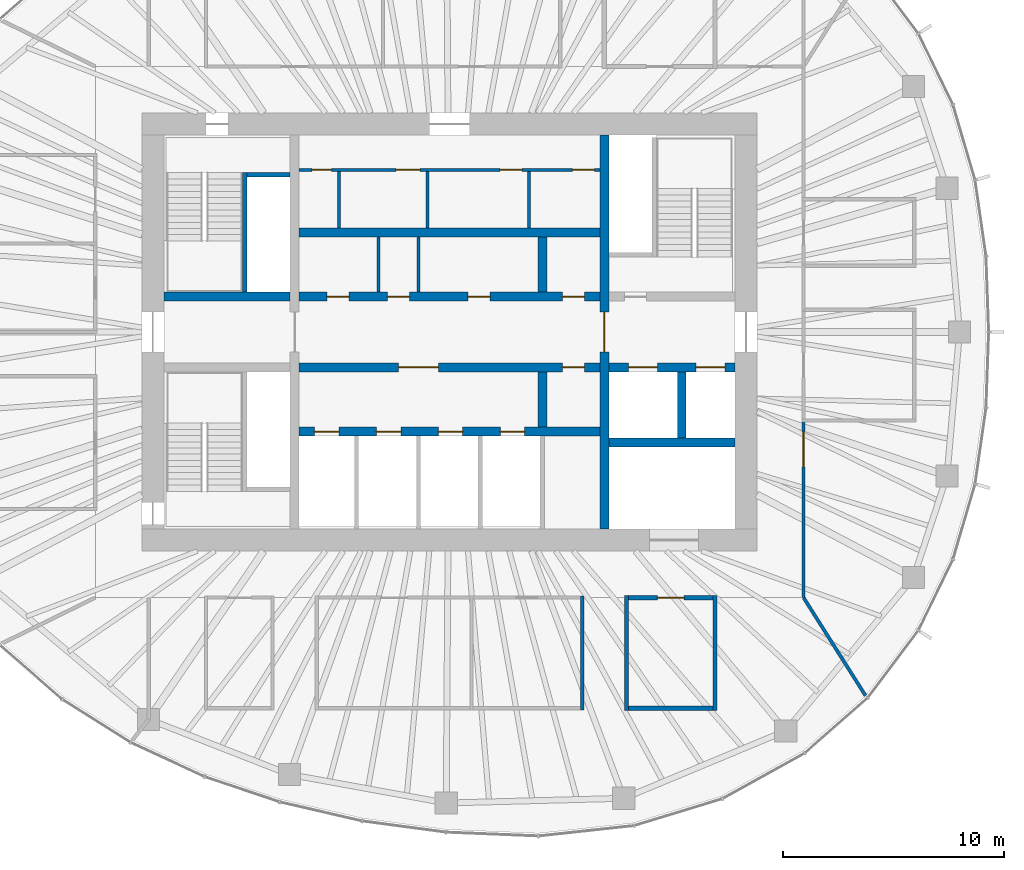
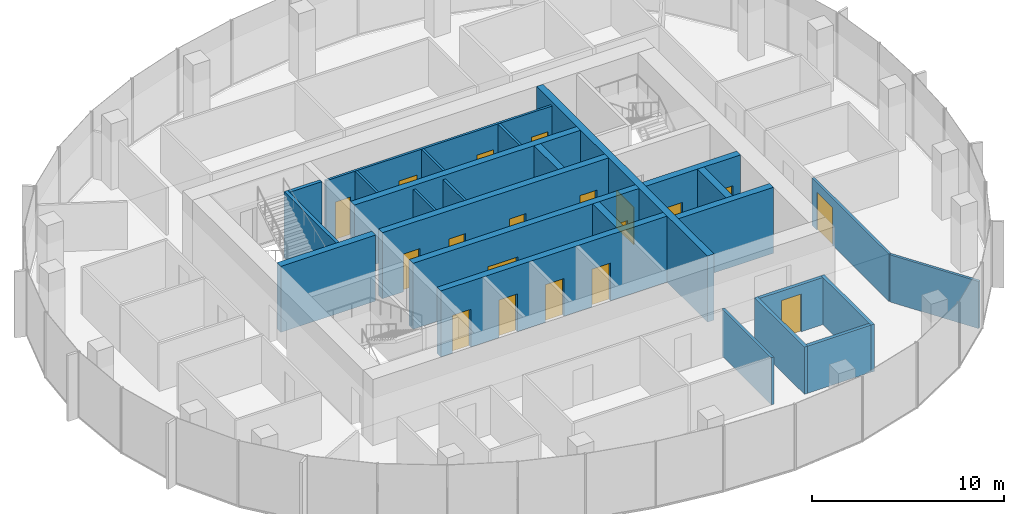
# One storey, part 9 of 12: 26 walls, 19 doors, 19 openings.
"""IFC4 building model written with IfcOpenShell, lengths in metres."""

from ifc_helpers import new_model, si_unit, direction, frame, frame_2d, origin, place, context, subcontext, project, spatial, rectangle, extrude, material, layer, layer_set, type_object, element, fill, save


model = new_model("IFC4")

# Units and contexts
model_context = context("Model", 3, precision=1e-05, world=origin(), true_north=direction((0.0, 1.0)))
body_context = subcontext(model_context, "Body", "Model", "MODEL_VIEW")
ifc_project = project(units=[si_unit("LENGTHUNIT", "METRE"), si_unit("AREAUNIT", "SQUARE_METRE"), si_unit("VOLUMEUNIT", "CUBIC_METRE"), si_unit("PLANEANGLEUNIT", "RADIAN"), si_unit("MASSUNIT", "GRAM", prefix="KILO")], contexts=[model_context])

# Site, building, storey
site_placement = place(None, origin())
site = spatial("IfcSite", under=ifc_project, at=site_placement, CompositionType="ELEMENT")
building_placement = place(site_placement, origin())
building = spatial("IfcBuilding", under=site, at=building_placement, Name="Ghaith Harvest Tower", CompositionType="ELEMENT")
storey_placement = place(building_placement, frame((0.0, 0.0, 304.800048828125)))
storey = spatial("IfcBuildingStorey", under=building, at=storey_placement, Name="L68", CompositionType="ELEMENT", Elevation=304.800048828125)

# Walls
ifc_material_1 = material(Name="Twin-stud gypsum board, acoustic", Category="gypsum")
ifc_layer_1 = layer(ifc_material_1, 0.199951171875)
ifc_layer_set_1 = layer_set([ifc_layer_1], Name="ACOUSTIC PARTITION 200")
wall_type_1 = type_object("IfcWallType", Name="ACOUSTIC PARTITION 200", PredefinedType="PARTITIONING", material=ifc_layer_set_1)
for number, where, z_axis, x_axis, name in (
    (1, (8.0, -11.89990234375, 0.0), (0.0, 0.0, 1.0), (0.0, -1.0, 0.0), "Partition L68 row S4 cross wall 1"),
    (2, (12.0, -11.89990234375, 0.0), (0.0, 0.0, 1.0), (0.0, -1.0, 0.0), "Partition L68 row S4 cross wall 2"),
):
    element("IfcWall", number, at=place(storey_placement, frame(where, z_axis=z_axis, x_axis=x_axis)), inside=storey, type_object=wall_type_1, Name=name, PredefinedType="PARTITIONING", context=body_context, shape_type="SweptSolid", body=[
        extrude(rectangle(XDim=5.2001953125, YDim=0.199951171875, at=frame_2d((2.60009765625, 0.0))), origin(), (0.0, 0.0, 1.0), 3.0),
    ])

# Wall, opening, door
wall_1_placement = place(storey_placement, frame((8.10009765625, -12.0, 0.0), z_axis=(0.0, 0.0, 1.0), x_axis=(1.0, 0.0, 0.0)))
wall_1 = element("IfcWall", 3, at=wall_1_placement, inside=storey, type_object=wall_type_1, Name="Partition L68-07", PredefinedType="PARTITIONING", context=body_context, shape_type="SweptSolid", body=[
    extrude(rectangle(XDim=3.7998046875, YDim=0.199951171875, at=frame_2d((1.89990234375, 0.0))), origin(), (0.0, 0.0, 1.0), 3.0),
])
opening_1_placement = place(wall_1_placement, frame((1.300048828125, 0.0, 0.0)))
opening_1 = element("IfcOpeningElement", 4, at=opening_1_placement, cuts=wall_1, Name="Opening 68-032", PredefinedType="OPENING", context=body_context, shape_type="SweptSolid", body=[
    extrude(rectangle(XDim=1.199951171875, YDim=2.39990234375, at=frame_2d((0.60009765625, 1.199951171875))), frame((0.0, 0.10986328125, 0.0), z_axis=(0.0, -1.0, 0.0), x_axis=(1.0, 0.0, 0.0)), (0.0, 0.0, 1.0), 0.219970703125),
])
ifc_material_2 = material(Name="Timber door", Category="wood")
door_type_1 = type_object("IfcDoorType", Name="D11 GLAZED 1200x2400", OperationType="SINGLE_SWING_LEFT", PredefinedType="DOOR", material=ifc_material_2)
door_1_placement = place(opening_1_placement, origin())
door_1 = element("IfcDoor", 5, at=door_1_placement, inside=storey, type_object=door_type_1, Name="Meeting room door", OperationType="SINGLE_SWING_LEFT", OverallHeight=2.39990234375, OverallWidth=1.199951171875, PredefinedType="DOOR", context=body_context, shape_type="SweptSolid", body=[
    extrude(rectangle(XDim=1.199951171875, YDim=2.39990234375, at=frame_2d((0.60009765625, 1.199951171875))), frame((0.0, 0.02490234375, 0.0), z_axis=(0.0, -1.0, 0.0), x_axis=(1.0, 0.0, 0.0)), (0.0, 0.0, 1.0), 0.050048828125),
])
fill(opening_1, door_1)

# Wall
wall_2_placement = place(storey_placement, frame((8.10009765625, -17.0, 0.0), z_axis=(0.0, 0.0, 1.0), x_axis=(1.0, 0.0, 0.0)))
element("IfcWall", 6, at=wall_2_placement, inside=storey, type_object=wall_type_1, Name="Partition L68-07", PredefinedType="PARTITIONING", context=body_context, shape_type="SweptSolid", body=[
    extrude(rectangle(XDim=3.7998046875, YDim=0.199951171875, at=frame_2d((1.89990234375, 0.0))), origin(), (0.0, 0.0, 1.0), 3.0),
])

# Wall, openings, doors
ifc_material_3 = material(Name="Concrete blockwork, fair-faced", Category="masonry")
ifc_layer_2 = layer(ifc_material_3, 0.139892578125)
ifc_layer_set_2 = layer_set([ifc_layer_2], Name="CORE PARTITION 140")
wall_type_2 = type_object("IfcWallType", Name="CORE PARTITION 140", PredefinedType="PARTITIONING", material=ifc_layer_set_2)
wall_3_placement = place(storey_placement, frame((-6.800048828125, 7.330078125, 0.0), z_axis=(0.0, 0.0, 1.0), x_axis=(1.0, 0.0, 0.0)))
wall_3 = element("IfcWall", 7, at=wall_3_placement, inside=storey, type_object=wall_type_2, Name="Core partition L68", PredefinedType="PARTITIONING", context=body_context, shape_type="SweptSolid", body=[
    extrude(rectangle(XDim=13.60009765625, YDim=0.139892578125, at=frame_2d((6.800048828125, 0.0))), origin(), (0.0, 0.0, 1.0), 3.949951171875),
])
opening_2_placement = place(wall_3_placement, frame((0.580078125, 0.0, 0.0)))
opening_2 = element("IfcOpeningElement", 8, at=opening_2_placement, cuts=wall_3, Name="Opening 68-008", PredefinedType="OPENING", context=body_context, shape_type="SweptSolid", body=[
    extrude(rectangle(XDim=0.89990234375, YDim=2.39990234375, at=frame_2d((0.449951171875, 1.199951171875))), frame((0.0, 0.080078125, 0.0), z_axis=(0.0, -1.0, 0.0), x_axis=(1.0, 0.0, 0.0)), (0.0, 0.0, 1.0), 0.159912109375),
])
opening_3_placement = place(wall_3_placement, frame((4.3798828125, 0.0, 0.0)))
opening_3 = element("IfcOpeningElement", 9, at=opening_3_placement, cuts=wall_3, Name="Opening 68-009", PredefinedType="OPENING", context=body_context, shape_type="SweptSolid", body=[
    extrude(rectangle(XDim=1.10009765625, YDim=2.39990234375, at=frame_2d((0.550048828125, 1.199951171875))), frame((0.0, 0.080078125, 0.0), z_axis=(0.0, -1.0, 0.0), x_axis=(1.0, 0.0, 0.0)), (0.0, 0.0, 1.0), 0.159912109375),
])
opening_4_placement = place(wall_3_placement, frame((9.080078125, 0.0, 0.0)))
opening_4 = element("IfcOpeningElement", 10, at=opening_4_placement, cuts=wall_3, Name="Opening 68-010", PredefinedType="OPENING", context=body_context, shape_type="SweptSolid", body=[
    extrude(rectangle(XDim=1.0, YDim=2.39990234375, at=frame_2d((0.5, 1.199951171875))), frame((0.0, 0.080078125, 0.0), z_axis=(0.0, -1.0, 0.0), x_axis=(1.0, 0.0, 0.0)), (0.0, 0.0, 1.0), 0.159912109375),
])
opening_5_placement = place(wall_3_placement, frame((12.35009765625, 0.0, 0.0)))
opening_5 = element("IfcOpeningElement", 11, at=opening_5_placement, cuts=wall_3, Name="Opening 68-011", PredefinedType="OPENING", context=body_context, shape_type="SweptSolid", body=[
    extrude(rectangle(XDim=1.0, YDim=2.39990234375, at=frame_2d((0.5, 1.199951171875))), frame((0.0, 0.080078125, 0.0), z_axis=(0.0, -1.0, 0.0), x_axis=(1.0, 0.0, 0.0)), (0.0, 0.0, 1.0), 0.159912109375),
])
ifc_material_4 = material(Name="Steel fire door", Category="steel")
door_type_2 = type_object("IfcDoorType", Name="D3 FD90 1000x2400", OperationType="SINGLE_SWING_LEFT", PredefinedType="DOOR", material=ifc_material_4)
door_2_placement = place(opening_4_placement, origin())
door_2 = element("IfcDoor", 12, at=door_2_placement, inside=storey, type_object=door_type_2, Name="Male WC door", OperationType="SINGLE_SWING_RIGHT", OverallHeight=2.39990234375, OverallWidth=1.0, PredefinedType="DOOR", context=body_context, shape_type="SweptSolid", body=[
    extrude(rectangle(XDim=1.0, YDim=2.39990234375, at=frame_2d((0.5, 1.199951171875))), frame((0.0, 0.02490234375, 0.0), z_axis=(0.0, -1.0, 0.0), x_axis=(1.0, 0.0, 0.0)), (0.0, 0.0, 1.0), 0.050048828125),
])
fill(opening_4, door_2)
door_3_placement = place(opening_5_placement, origin())
door_3 = element("IfcDoor", 13, at=door_3_placement, inside=storey, type_object=door_type_2, Name="Female WC door", OperationType="SINGLE_SWING_RIGHT", OverallHeight=2.39990234375, OverallWidth=1.0, PredefinedType="DOOR", context=body_context, shape_type="SweptSolid", body=[
    extrude(rectangle(XDim=1.0, YDim=2.39990234375, at=frame_2d((0.5, 1.199951171875))), frame((0.0, 0.02490234375, 0.0), z_axis=(0.0, -1.0, 0.0), x_axis=(1.0, 0.0, 0.0)), (0.0, 0.0, 1.0), 0.050048828125),
])
fill(opening_5, door_3)
ifc_material_5 = material(Name="Steel fire door", Category="steel")
door_type_3 = type_object("IfcDoorType", Name="D5 FD90 900x2400", OperationType="SINGLE_SWING_LEFT", PredefinedType="DOOR", material=ifc_material_5)
door_4_placement = place(opening_2_placement, origin())
door_4 = element("IfcDoor", 14, at=door_4_placement, inside=storey, type_object=door_type_3, Name="Cleaner's store door", OperationType="SINGLE_SWING_LEFT", OverallHeight=2.39990234375, OverallWidth=0.89990234375, PredefinedType="DOOR", context=body_context, shape_type="SweptSolid", body=[
    extrude(rectangle(XDim=0.89990234375, YDim=2.39990234375, at=frame_2d((0.449951171875, 1.199951171875))), frame((0.0, 0.02490234375, 0.0), z_axis=(0.0, -1.0, 0.0), x_axis=(1.0, 0.0, 0.0)), (0.0, 0.0, 1.0), 0.050048828125),
])
fill(opening_2, door_4)
ifc_material_6 = material(Name="Steel fire door", Category="steel")
door_type_4 = type_object("IfcDoorType", Name="D9 FD90 1100x2400", OperationType="SINGLE_SWING_LEFT", PredefinedType="DOOR", material=ifc_material_6)
door_5_placement = place(opening_3_placement, origin())
door_5 = element("IfcDoor", 15, at=door_5_placement, inside=storey, type_object=door_type_4, Name="Accessible WC door", OperationType="SINGLE_SWING_LEFT", OverallHeight=2.39990234375, OverallWidth=1.10009765625, PredefinedType="DOOR", context=body_context, shape_type="SweptSolid", body=[
    extrude(rectangle(XDim=1.10009765625, YDim=2.39990234375, at=frame_2d((0.550048828125, 1.199951171875))), frame((0.0, 0.02490234375, 0.0), z_axis=(0.0, -1.0, 0.0), x_axis=(1.0, 0.0, 0.0)), (0.0, 0.0, 1.0), 0.050048828125),
])
fill(opening_3, door_5)

# Walls
for number, where, z_axis, x_axis, name in (
    (16, (-5.0, 4.699951171875, 0.0), (0.0, 0.0, 1.0), (0.0, 1.0, 0.0), "Core partition L68"),
    (17, (-1.0, 4.699951171875, 0.0), (0.0, 0.0, 1.0), (0.0, 1.0, 0.0), "Core partition L68"),
    (18, (3.60009765625, 4.699951171875, 0.0), (0.0, 0.0, 1.0), (0.0, 1.0, 0.0), "Core partition L68"),
):
    element("IfcWall", number, at=place(storey_placement, frame(where, z_axis=z_axis, x_axis=x_axis)), inside=storey, type_object=wall_type_2, Name=name, PredefinedType="PARTITIONING", context=body_context, shape_type="SweptSolid", body=[
        extrude(rectangle(XDim=2.56005859375, YDim=0.139892578125, at=frame_2d((1.280029296875, 0.0))), origin(), (0.0, 0.0, 1.0), 3.949951171875),
    ])
for number, where, z_axis, x_axis, name in (
    (19, (-3.199951171875, 1.800048828125, 0.0), (0.0, 0.0, 1.0), (0.0, 1.0, 0.0), "Core partition L68"),
    (20, (-1.39990234375, 1.800048828125, 0.0), (0.0, 0.0, 1.0), (0.0, 1.0, 0.0), "Core partition L68"),
):
    element("IfcWall", number, at=place(storey_placement, frame(where, z_axis=z_axis, x_axis=x_axis)), inside=storey, type_object=wall_type_2, Name=name, PredefinedType="PARTITIONING", context=body_context, shape_type="SweptSolid", body=[
        extrude(rectangle(XDim=2.5, YDim=0.139892578125, at=frame_2d((1.25, 0.0))), origin(), (0.0, 0.0, 1.0), 3.949951171875),
    ])
ifc_material_7 = material(Name="Gypsum board on steel studs", Category="steel")
ifc_layer_3 = layer(ifc_material_7, 0.14990234375)
ifc_layer_set_3 = layer_set([ifc_layer_3], Name="PARTITION 150")
wall_type_3 = type_object("IfcWallType", Name="PARTITION 150", PredefinedType="PARTITIONING", material=ifc_layer_set_3)
wall_4_placement = place(storey_placement, frame((6.0, -11.925048828125, 0.0), z_axis=(0.0, 0.0, 1.0), x_axis=(0.0, -1.0, 0.0)))
element("IfcWall", 21, at=wall_4_placement, inside=storey, type_object=wall_type_3, Name="Partition L68 row S3 cross wall 3", PredefinedType="PARTITIONING", context=body_context, shape_type="SweptSolid", body=[
    extrude(rectangle(XDim=5.14990234375, YDim=0.14990234375, at=frame_2d((2.574951171875, 0.0))), origin(), (0.0, 0.0, 1.0), 3.0),
])
wall_5_placement = place(storey_placement, frame((16.0107421875, -12.016845703125, 0.0), z_axis=(0.0, 0.0, 1.0), x_axis=(0.53415837449, -0.845384427916, 0.0)))
element("IfcWall", 22, at=wall_5_placement, inside=storey, type_object=wall_type_3, Name="Partition L68 zone division", PredefinedType="PARTITIONING", context=body_context, shape_type="SweptSolid", body=[
    extrude(rectangle(XDim=5.220458984375, YDim=0.14990234375, at=frame_2d((2.6103515625, 0.0))), origin(), (0.0, 0.0, 1.0), 3.0),
])

# Wall, opening, door
wall_6_placement = place(storey_placement, frame((16.0, -12.0, 0.0), z_axis=(0.0, 0.0, 1.0), x_axis=(0.0, 1.0, 0.0)))
wall_6 = element("IfcWall", 23, at=wall_6_placement, inside=storey, type_object=wall_type_3, Name="Partition L68 zone enclosure", PredefinedType="PARTITIONING", context=body_context, shape_type="SweptSolid", body=[
    extrude(rectangle(XDim=8.0, YDim=0.14990234375, at=frame_2d((4.0, 0.0))), origin(), (0.0, 0.0, 1.0), 3.0),
])
opening_6_placement = place(wall_6_placement, frame((5.89990234375, 0.0, 0.0)))
opening_6 = element("IfcOpeningElement", 24, at=opening_6_placement, cuts=wall_6, Name="Opening 68-039", PredefinedType="OPENING", context=body_context, shape_type="SweptSolid", body=[
    extrude(rectangle(XDim=1.60009765625, YDim=2.39990234375, at=frame_2d((0.800048828125, 1.199951171875))), frame((0.0, 0.0849609375, 0.0), z_axis=(0.0, -1.0, 0.0), x_axis=(1.0, 0.0, 0.0)), (0.0, 0.0, 1.0), 0.169921875),
])
ifc_material_8 = material(Name="Timber door", Category="wood")
door_type_5 = type_object("IfcDoorType", Name="D2 PAIR 1600x2400", OperationType="DOUBLE_DOOR_SINGLE_SWING", PredefinedType="DOOR", material=ifc_material_8)
door_6_placement = place(opening_6_placement, origin())
door_6 = element("IfcDoor", 25, at=door_6_placement, inside=storey, type_object=door_type_5, Name="Research greenhouse east door", OperationType="DOUBLE_DOOR_SINGLE_SWING", OverallHeight=2.39990234375, OverallWidth=1.60009765625, PredefinedType="DOOR", context=body_context, shape_type="SweptSolid", body=[
    extrude(rectangle(XDim=1.60009765625, YDim=2.39990234375, at=frame_2d((0.800048828125, 1.199951171875))), frame((0.0, 0.02490234375, 0.0), z_axis=(0.0, -1.0, 0.0), x_axis=(1.0, 0.0, 0.0)), (0.0, 0.0, 1.0), 0.050048828125),
])
fill(opening_6, door_6)

ifc_material_9 = material(Name="Concrete C70/85", Category="concrete")
ifc_layer_4 = layer(ifc_material_9, 0.39990234375)
ifc_layer_set_4 = layer_set([ifc_layer_4], Name="SHAFT WALL 400")
wall_type_4 = type_object("IfcWallType", Name="SHAFT WALL 400", PredefinedType="SHEAR", material=ifc_layer_set_4)
wall_7_placement = place(storey_placement, frame((7.0, -8.89990234375, 0.0), z_axis=(0.0, 0.0, 1.0), x_axis=(0.0, 1.0, 0.0)))
wall_7 = element("IfcWall", 26, at=wall_7_placement, inside=storey, type_object=wall_type_4, Name="Shaft wall W7E L68", PredefinedType="SHEAR", context=body_context, shape_type="SweptSolid", body=[
    extrude(rectangle(XDim=17.7998046875, YDim=0.39990234375, at=frame_2d((8.89990234375, 0.0))), origin(), (0.0, 0.0, 1.0), 4.199951171875),
])
opening_7_placement = place(wall_7_placement, frame((8.0, 0.0, 0.0)))
opening_7 = element("IfcOpeningElement", 27, at=opening_7_placement, cuts=wall_7, Name="Opening 68-004", PredefinedType="OPENING", context=body_context, shape_type="SweptSolid", body=[
    extrude(rectangle(XDim=1.800048828125, YDim=2.39990234375, at=frame_2d((0.89990234375, 1.199951171875))), frame((0.0, 0.2099609375, 0.0), z_axis=(0.0, -1.0, 0.0), x_axis=(1.0, 0.0, 0.0)), (0.0, 0.0, 1.0), 0.419921875),
])
ifc_material_10 = material(Name="Steel fire door", Category="steel")
door_type_6 = type_object("IfcDoorType", Name="D4 FD90 PAIR 1800x2400", OperationType="DOUBLE_DOOR_SINGLE_SWING", PredefinedType="DOOR", material=ifc_material_10)
door_7_placement = place(opening_7_placement, origin())
door_7 = element("IfcDoor", 28, at=door_7_placement, inside=storey, type_object=door_type_6, Name="Lift lobby doors, east", OperationType="DOUBLE_DOOR_SINGLE_SWING", OverallHeight=2.39990234375, OverallWidth=1.800048828125, PredefinedType="DOOR", context=body_context, shape_type="SweptSolid", body=[
    extrude(rectangle(XDim=1.800048828125, YDim=2.39990234375, at=frame_2d((0.89990234375, 1.199951171875))), frame((0.0, 0.02490234375, 0.0), z_axis=(0.0, -1.0, 0.0), x_axis=(1.0, 0.0, 0.0)), (0.0, 0.0, 1.0), 0.050048828125),
])
fill(opening_7, door_7)

# Wall, openings, doors
wall_8_placement = place(storey_placement, frame((-6.800048828125, 1.60009765625, 0.0), z_axis=(0.0, 0.0, 1.0), x_axis=(1.0, 0.0, 0.0)))
wall_8 = element("IfcWall", 29, at=wall_8_placement, inside=storey, type_object=wall_type_4, Name="Shaft wall LN L68", PredefinedType="SHEAR", context=body_context, shape_type="SweptSolid", body=[
    extrude(rectangle(XDim=13.60009765625, YDim=0.39990234375, at=frame_2d((6.800048828125, 0.0))), origin(), (0.0, 0.0, 1.0), 4.199951171875),
])
opening_8_placement = place(wall_8_placement, frame((1.264892578125, 0.0, 0.0)))
opening_8 = element("IfcOpeningElement", 30, at=opening_8_placement, cuts=wall_8, Name="Opening 68-012", PredefinedType="OPENING", context=body_context, shape_type="SweptSolid", body=[
    extrude(rectangle(XDim=1.0, YDim=2.39990234375, at=frame_2d((0.5, 1.199951171875))), frame((0.0, 0.2099609375, 0.0), z_axis=(0.0, -1.0, 0.0), x_axis=(1.0, 0.0, 0.0)), (0.0, 0.0, 1.0), 0.419921875),
])
opening_9_placement = place(wall_8_placement, frame((4.0, 0.0, 0.0)))
opening_9 = element("IfcOpeningElement", 31, at=opening_9_placement, cuts=wall_8, Name="Opening 68-013", PredefinedType="OPENING", context=body_context, shape_type="SweptSolid", body=[
    extrude(rectangle(XDim=1.0, YDim=2.39990234375, at=frame_2d((0.5, 1.199951171875))), frame((0.0, 0.2099609375, 0.0), z_axis=(0.0, -1.0, 0.0), x_axis=(1.0, 0.0, 0.0)), (0.0, 0.0, 1.0), 0.419921875),
])
opening_10_placement = place(wall_8_placement, frame((7.635009765625, 0.0, 0.0)))
opening_10 = element("IfcOpeningElement", 32, at=opening_10_placement, cuts=wall_8, Name="Opening 68-014", PredefinedType="OPENING", context=body_context, shape_type="SweptSolid", body=[
    extrude(rectangle(XDim=1.0, YDim=2.39990234375, at=frame_2d((0.5, 1.199951171875))), frame((0.0, 0.2099609375, 0.0), z_axis=(0.0, -1.0, 0.0), x_axis=(1.0, 0.0, 0.0)), (0.0, 0.0, 1.0), 0.419921875),
])
opening_11_placement = place(wall_8_placement, frame((11.89990234375, 0.0, 0.0)))
opening_11 = element("IfcOpeningElement", 33, at=opening_11_placement, cuts=wall_8, Name="Opening 68-015", PredefinedType="OPENING", context=body_context, shape_type="SweptSolid", body=[
    extrude(rectangle(XDim=1.0, YDim=2.39990234375, at=frame_2d((0.5, 1.199951171875))), frame((0.0, 0.2099609375, 0.0), z_axis=(0.0, -1.0, 0.0), x_axis=(1.0, 0.0, 0.0)), (0.0, 0.0, 1.0), 0.419921875),
])
door_8_placement = place(opening_8_placement, origin())
door_8 = element("IfcDoor", 34, at=door_8_placement, inside=storey, type_object=door_type_2, Name="Electrical room door", OperationType="SINGLE_SWING_LEFT", OverallHeight=2.39990234375, OverallWidth=1.0, PredefinedType="DOOR", context=body_context, shape_type="SweptSolid", body=[
    extrude(rectangle(XDim=1.0, YDim=2.39990234375, at=frame_2d((0.5, 1.199951171875))), frame((0.0, 0.02490234375, 0.0), z_axis=(0.0, -1.0, 0.0), x_axis=(1.0, 0.0, 0.0)), (0.0, 0.0, 1.0), 0.050048828125),
])
fill(opening_8, door_8)
door_9_placement = place(opening_9_placement, origin())
door_9 = element("IfcDoor", 35, at=door_9_placement, inside=storey, type_object=door_type_2, Name="Staff WC door", OperationType="SINGLE_SWING_LEFT", OverallHeight=2.39990234375, OverallWidth=1.0, PredefinedType="DOOR", context=body_context, shape_type="SweptSolid", body=[
    extrude(rectangle(XDim=1.0, YDim=2.39990234375, at=frame_2d((0.5, 1.199951171875))), frame((0.0, 0.02490234375, 0.0), z_axis=(0.0, -1.0, 0.0), x_axis=(1.0, 0.0, 0.0)), (0.0, 0.0, 1.0), 0.050048828125),
])
fill(opening_9, door_9)
door_10_placement = place(opening_10_placement, origin())
door_10 = element("IfcDoor", 36, at=door_10_placement, inside=storey, type_object=door_type_2, Name="Communications equipment room door", OperationType="SINGLE_SWING_RIGHT", OverallHeight=2.39990234375, OverallWidth=1.0, PredefinedType="DOOR", context=body_context, shape_type="SweptSolid", body=[
    extrude(rectangle(XDim=1.0, YDim=2.39990234375, at=frame_2d((0.5, 1.199951171875))), frame((0.0, 0.02490234375, 0.0), z_axis=(0.0, -1.0, 0.0), x_axis=(1.0, 0.0, 0.0)), (0.0, 0.0, 1.0), 0.050048828125),
])
fill(opening_10, door_10)
door_11_placement = place(opening_11_placement, origin())
door_11 = element("IfcDoor", 37, at=door_11_placement, inside=storey, type_object=door_type_2, Name="Security room door", OperationType="SINGLE_SWING_RIGHT", OverallHeight=2.39990234375, OverallWidth=1.0, PredefinedType="DOOR", context=body_context, shape_type="SweptSolid", body=[
    extrude(rectangle(XDim=1.0, YDim=2.39990234375, at=frame_2d((0.5, 1.199951171875))), frame((0.0, 0.02490234375, 0.0), z_axis=(0.0, -1.0, 0.0), x_axis=(1.0, 0.0, 0.0)), (0.0, 0.0, 1.0), 0.050048828125),
])
fill(opening_11, door_11)

wall_9_placement = place(storey_placement, frame((-6.800048828125, -1.60009765625, 0.0), z_axis=(0.0, 0.0, 1.0), x_axis=(1.0, 0.0, 0.0)))
wall_9 = element("IfcWall", 38, at=wall_9_placement, inside=storey, type_object=wall_type_4, Name="Shaft wall LS L68", PredefinedType="SHEAR", context=body_context, shape_type="SweptSolid", body=[
    extrude(rectangle(XDim=13.60009765625, YDim=0.39990234375, at=frame_2d((6.800048828125, 0.0))), origin(), (0.0, 0.0, 1.0), 4.199951171875),
])
opening_12_placement = place(wall_9_placement, frame((11.89990234375, 0.0, 0.0)))
opening_12 = element("IfcOpeningElement", 39, at=opening_12_placement, cuts=wall_9, Name="Opening 68-016", PredefinedType="OPENING", context=body_context, shape_type="SweptSolid", body=[
    extrude(rectangle(XDim=1.0, YDim=2.39990234375, at=frame_2d((0.5, 1.199951171875))), frame((0.0, 0.2099609375, 0.0), z_axis=(0.0, -1.0, 0.0), x_axis=(1.0, 0.0, 0.0)), (0.0, 0.0, 1.0), 0.419921875),
])
opening_13_placement = place(wall_9_placement, frame((4.5, 0.0, 0.0)))
opening_13 = element("IfcOpeningElement", 40, at=opening_13_placement, cuts=wall_9, Name="Opening 68-017", PredefinedType="OPENING", context=body_context, shape_type="SweptSolid", body=[
    extrude(rectangle(XDim=1.800048828125, YDim=2.39990234375, at=frame_2d((0.89990234375, 1.199951171875))), frame((0.0, 0.2099609375, 0.0), z_axis=(0.0, -1.0, 0.0), x_axis=(1.0, 0.0, 0.0)), (0.0, 0.0, 1.0), 0.419921875),
])
door_12_placement = place(opening_12_placement, origin())
door_12 = element("IfcDoor", 41, at=door_12_placement, inside=storey, type_object=door_type_2, Name="IT equipment room door", OperationType="SINGLE_SWING_RIGHT", OverallHeight=2.39990234375, OverallWidth=1.0, PredefinedType="DOOR", context=body_context, shape_type="SweptSolid", body=[
    extrude(rectangle(XDim=1.0, YDim=2.39990234375, at=frame_2d((0.5, 1.199951171875))), frame((0.0, 0.02490234375, 0.0), z_axis=(0.0, -1.0, 0.0), x_axis=(1.0, 0.0, 0.0)), (0.0, 0.0, 1.0), 0.050048828125),
])
fill(opening_12, door_12)
door_13_placement = place(opening_13_placement, origin())
door_13 = element("IfcDoor", 42, at=door_13_placement, inside=storey, type_object=door_type_6, Name="Lift lobby doors, upper-zone bank", OperationType="DOUBLE_DOOR_SINGLE_SWING", OverallHeight=2.39990234375, OverallWidth=1.800048828125, PredefinedType="DOOR", context=body_context, shape_type="SweptSolid", body=[
    extrude(rectangle(XDim=1.800048828125, YDim=2.39990234375, at=frame_2d((0.89990234375, 1.199951171875))), frame((0.0, 0.02490234375, 0.0), z_axis=(0.0, -1.0, 0.0), x_axis=(1.0, 0.0, 0.0)), (0.0, 0.0, 1.0), 0.050048828125),
])
fill(opening_13, door_13)

# Wall
wall_10_placement = place(storey_placement, frame((-6.800048828125, 4.5, 0.0), z_axis=(0.0, 0.0, 1.0), x_axis=(1.0, 0.0, 0.0)))
element("IfcWall", 43, at=wall_10_placement, inside=storey, type_object=wall_type_4, Name="Shaft wall BN L68", PredefinedType="SHEAR", context=body_context, shape_type="SweptSolid", body=[
    extrude(rectangle(XDim=13.60009765625, YDim=0.39990234375, at=frame_2d((6.800048828125, 0.0))), origin(), (0.0, 0.0, 1.0), 4.199951171875),
])

# Wall, openings, doors
wall_11_placement = place(storey_placement, frame((-6.800048828125, -4.5, 0.0), z_axis=(0.0, 0.0, 1.0), x_axis=(1.0, 0.0, 0.0)))
wall_11 = element("IfcWall", 44, at=wall_11_placement, inside=storey, type_object=wall_type_4, Name="Shaft wall BS L68", PredefinedType="SHEAR", context=body_context, shape_type="SweptSolid", body=[
    extrude(rectangle(XDim=13.60009765625, YDim=0.39990234375, at=frame_2d((6.800048828125, 0.0))), origin(), (0.0, 0.0, 1.0), 4.199951171875),
])
opening_14_placement = place(wall_11_placement, frame((0.699951171875, 0.0, 0.0)))
opening_14 = element("IfcOpeningElement", 45, at=opening_14_placement, cuts=wall_11, Name="Opening 68-019", PredefinedType="OPENING", context=body_context, shape_type="SweptSolid", body=[
    extrude(rectangle(XDim=1.10009765625, YDim=2.39990234375, at=frame_2d((0.550048828125, 1.199951171875))), frame((0.0, 0.2099609375, 0.0), z_axis=(0.0, -1.0, 0.0), x_axis=(1.0, 0.0, 0.0)), (0.0, 0.0, 1.0), 0.419921875),
])
opening_15_placement = place(wall_11_placement, frame((3.5, 0.0, 0.0)))
opening_15 = element("IfcOpeningElement", 46, at=opening_15_placement, cuts=wall_11, Name="Opening 68-020", PredefinedType="OPENING", context=body_context, shape_type="SweptSolid", body=[
    extrude(rectangle(XDim=1.10009765625, YDim=2.39990234375, at=frame_2d((0.550048828125, 1.199951171875))), frame((0.0, 0.2099609375, 0.0), z_axis=(0.0, -1.0, 0.0), x_axis=(1.0, 0.0, 0.0)), (0.0, 0.0, 1.0), 0.419921875),
])
opening_16_placement = place(wall_11_placement, frame((6.300048828125, 0.0, 0.0)))
opening_16 = element("IfcOpeningElement", 47, at=opening_16_placement, cuts=wall_11, Name="Opening 68-021", PredefinedType="OPENING", context=body_context, shape_type="SweptSolid", body=[
    extrude(rectangle(XDim=1.10009765625, YDim=2.39990234375, at=frame_2d((0.550048828125, 1.199951171875))), frame((0.0, 0.2099609375, 0.0), z_axis=(0.0, -1.0, 0.0), x_axis=(1.0, 0.0, 0.0)), (0.0, 0.0, 1.0), 0.419921875),
])
opening_17_placement = place(wall_11_placement, frame((9.10009765625, 0.0, 0.0)))
opening_17 = element("IfcOpeningElement", 48, at=opening_17_placement, cuts=wall_11, Name="Opening 68-022", PredefinedType="OPENING", context=body_context, shape_type="SweptSolid", body=[
    extrude(rectangle(XDim=1.10009765625, YDim=2.39990234375, at=frame_2d((0.550048828125, 1.199951171875))), frame((0.0, 0.2099609375, 0.0), z_axis=(0.0, -1.0, 0.0), x_axis=(1.0, 0.0, 0.0)), (0.0, 0.0, 1.0), 0.419921875),
])
ifc_material_11 = material(Name="Steel fire door", Category="steel")
door_type_7 = type_object("IfcDoorType", Name="LD1 LANDING 1100x2400", OperationType="DOUBLE_DOOR_SLIDING", PredefinedType="DOOR", material=ifc_material_11)
door_14_placement = place(opening_14_placement, origin())
door_14 = element("IfcDoor", 49, at=door_14_placement, inside=storey, type_object=door_type_7, Name="Landing door, lift TR1", OperationType="DOUBLE_DOOR_SLIDING", OverallHeight=2.39990234375, OverallWidth=1.10009765625, PredefinedType="DOOR", context=body_context, shape_type="SweptSolid", body=[
    extrude(rectangle(XDim=1.10009765625, YDim=2.39990234375, at=frame_2d((0.550048828125, 1.199951171875))), frame((0.0, 0.02490234375, 0.0), z_axis=(0.0, -1.0, 0.0), x_axis=(1.0, 0.0, 0.0)), (0.0, 0.0, 1.0), 0.050048828125),
])
fill(opening_14, door_14)
door_15_placement = place(opening_15_placement, origin())
door_15 = element("IfcDoor", 50, at=door_15_placement, inside=storey, type_object=door_type_7, Name="Landing door, lift TR2", OperationType="DOUBLE_DOOR_SLIDING", OverallHeight=2.39990234375, OverallWidth=1.10009765625, PredefinedType="DOOR", context=body_context, shape_type="SweptSolid", body=[
    extrude(rectangle(XDim=1.10009765625, YDim=2.39990234375, at=frame_2d((0.550048828125, 1.199951171875))), frame((0.0, 0.02490234375, 0.0), z_axis=(0.0, -1.0, 0.0), x_axis=(1.0, 0.0, 0.0)), (0.0, 0.0, 1.0), 0.050048828125),
])
fill(opening_15, door_15)
door_16_placement = place(opening_16_placement, origin())
door_16 = element("IfcDoor", 51, at=door_16_placement, inside=storey, type_object=door_type_7, Name="Landing door, lift TR3", OperationType="DOUBLE_DOOR_SLIDING", OverallHeight=2.39990234375, OverallWidth=1.10009765625, PredefinedType="DOOR", context=body_context, shape_type="SweptSolid", body=[
    extrude(rectangle(XDim=1.10009765625, YDim=2.39990234375, at=frame_2d((0.550048828125, 1.199951171875))), frame((0.0, 0.02490234375, 0.0), z_axis=(0.0, -1.0, 0.0), x_axis=(1.0, 0.0, 0.0)), (0.0, 0.0, 1.0), 0.050048828125),
])
fill(opening_16, door_16)
door_17_placement = place(opening_17_placement, origin())
door_17 = element("IfcDoor", 52, at=door_17_placement, inside=storey, type_object=door_type_7, Name="Landing door, lift TR4", OperationType="DOUBLE_DOOR_SLIDING", OverallHeight=2.39990234375, OverallWidth=1.10009765625, PredefinedType="DOOR", context=body_context, shape_type="SweptSolid", body=[
    extrude(rectangle(XDim=1.10009765625, YDim=2.39990234375, at=frame_2d((0.550048828125, 1.199951171875))), frame((0.0, 0.02490234375, 0.0), z_axis=(0.0, -1.0, 0.0), x_axis=(1.0, 0.0, 0.0)), (0.0, 0.0, 1.0), 0.050048828125),
])
fill(opening_17, door_17)

# Wall
wall_12_placement = place(storey_placement, frame((-12.89990234375, 1.60009765625, 0.0), z_axis=(0.0, 0.0, 1.0), x_axis=(1.0, 0.0, 0.0)))
element("IfcWall", 53, at=wall_12_placement, inside=storey, type_object=wall_type_4, Name="Shaft wall WN L68", PredefinedType="SHEAR", context=body_context, shape_type="SweptSolid", body=[
    extrude(rectangle(XDim=5.699951171875, YDim=0.39990234375, at=frame_2d((2.85009765625, 0.0))), origin(), (0.0, 0.0, 1.0), 4.199951171875),
])

# Wall, openings, doors
wall_13_placement = place(storey_placement, frame((7.199951171875, -1.60009765625, 0.0), z_axis=(0.0, 0.0, 1.0), x_axis=(1.0, 0.0, 0.0)))
wall_13 = element("IfcWall", 54, at=wall_13_placement, inside=storey, type_object=wall_type_4, Name="Shaft wall ES L68", PredefinedType="SHEAR", context=body_context, shape_type="SweptSolid", body=[
    extrude(rectangle(XDim=5.699951171875, YDim=0.39990234375, at=frame_2d((2.85009765625, 0.0))), origin(), (0.0, 0.0, 1.0), 4.199951171875),
])
opening_18_placement = place(wall_13_placement, frame((0.89990234375, 0.0, 0.0)))
opening_18 = element("IfcOpeningElement", 55, at=opening_18_placement, cuts=wall_13, Name="Opening 68-023", PredefinedType="OPENING", context=body_context, shape_type="SweptSolid", body=[
    extrude(rectangle(XDim=1.300048828125, YDim=2.39990234375, at=frame_2d((0.64990234375, 1.199951171875))), frame((0.0, 0.2099609375, 0.0), z_axis=(0.0, -1.0, 0.0), x_axis=(1.0, 0.0, 0.0)), (0.0, 0.0, 1.0), 0.419921875),
])
opening_19_placement = place(wall_13_placement, frame((3.949951171875, 0.0, 0.0)))
opening_19 = element("IfcOpeningElement", 56, at=opening_19_placement, cuts=wall_13, Name="Opening 68-024", PredefinedType="OPENING", context=body_context, shape_type="SweptSolid", body=[
    extrude(rectangle(XDim=1.300048828125, YDim=2.39990234375, at=frame_2d((0.64990234375, 1.199951171875))), frame((0.0, 0.2099609375, 0.0), z_axis=(0.0, -1.0, 0.0), x_axis=(1.0, 0.0, 0.0)), (0.0, 0.0, 1.0), 0.419921875),
])
ifc_material_12 = material(Name="Steel fire door", Category="steel")
door_type_8 = type_object("IfcDoorType", Name="LD2 LANDING 1300x2400", OperationType="DOUBLE_DOOR_SLIDING", PredefinedType="DOOR", material=ifc_material_12)
door_18_placement = place(opening_18_placement, origin())
door_18 = element("IfcDoor", 57, at=door_18_placement, inside=storey, type_object=door_type_8, Name="Landing door, fire service lift FL1", OperationType="DOUBLE_DOOR_SLIDING", OverallHeight=2.39990234375, OverallWidth=1.300048828125, PredefinedType="DOOR", context=body_context, shape_type="SweptSolid", body=[
    extrude(rectangle(XDim=1.300048828125, YDim=2.39990234375, at=frame_2d((0.64990234375, 1.199951171875))), frame((0.0, 0.02490234375, 0.0), z_axis=(0.0, -1.0, 0.0), x_axis=(1.0, 0.0, 0.0)), (0.0, 0.0, 1.0), 0.050048828125),
])
fill(opening_18, door_18)
door_19_placement = place(opening_19_placement, origin())
door_19 = element("IfcDoor", 58, at=door_19_placement, inside=storey, type_object=door_type_8, Name="Landing door, fire service lift FL2", OperationType="DOUBLE_DOOR_SLIDING", OverallHeight=2.39990234375, OverallWidth=1.300048828125, PredefinedType="DOOR", context=body_context, shape_type="SweptSolid", body=[
    extrude(rectangle(XDim=1.300048828125, YDim=2.39990234375, at=frame_2d((0.64990234375, 1.199951171875))), frame((0.0, 0.02490234375, 0.0), z_axis=(0.0, -1.0, 0.0), x_axis=(1.0, 0.0, 0.0)), (0.0, 0.0, 1.0), 0.050048828125),
])
fill(opening_19, door_19)

# Walls
wall_14_placement = place(storey_placement, frame((10.5, -4.800048828125, 0.0), z_axis=(0.0, 0.0, 1.0), x_axis=(0.0, 1.0, 0.0)))
element("IfcWall", 59, at=wall_14_placement, inside=storey, type_object=wall_type_4, Name="Shaft wall FLD L68", PredefinedType="SHEAR", context=body_context, shape_type="SweptSolid", body=[
    extrude(rectangle(XDim=3.0, YDim=0.39990234375, at=frame_2d((1.5, 0.0))), origin(), (0.0, 0.0, 1.0), 4.199951171875),
])
wall_15_placement = place(storey_placement, frame((7.199951171875, -5.0, 0.0), z_axis=(0.0, 0.0, 1.0), x_axis=(1.0, 0.0, 0.0)))
element("IfcWall", 60, at=wall_15_placement, inside=storey, type_object=wall_type_4, Name="Shaft wall FLB L68", PredefinedType="SHEAR", context=body_context, shape_type="SweptSolid", body=[
    extrude(rectangle(XDim=5.699951171875, YDim=0.39990234375, at=frame_2d((2.85009765625, 0.0))), origin(), (0.0, 0.0, 1.0), 4.199951171875),
])
for number, where, z_axis, x_axis, name in (
    (61, (4.199951171875, 1.800048828125, 0.0), (0.0, 0.0, 1.0), (0.0, 1.0, 0.0), "Shaft wall DN4 L68"),
    (62, (4.199951171875, -4.300048828125, 0.0), (0.0, 0.0, 1.0), (0.0, 1.0, 0.0), "Shaft wall DS4 L68"),
):
    element("IfcWall", number, at=place(storey_placement, frame(where, z_axis=z_axis, x_axis=x_axis)), inside=storey, type_object=wall_type_4, Name=name, PredefinedType="SHEAR", context=body_context, shape_type="SweptSolid", body=[
        extrude(rectangle(XDim=2.5, YDim=0.39990234375, at=frame_2d((1.25, 0.0))), origin(), (0.0, 0.0, 1.0), 4.199951171875),
    ])
ifc_material_13 = material(Name="Concrete C40/50", Category="concrete")
ifc_layer_5 = layer(ifc_material_13, 0.199951171875)
ifc_layer_set_5 = layer_set([ifc_layer_5], Name="STAIR SPINE WALL RC200")
wall_type_5 = type_object("IfcWallType", Name="STAIR SPINE WALL RC200", PredefinedType="SOLIDWALL", material=ifc_layer_set_5)
wall_16_placement = place(storey_placement, frame((-9.25, 7.199951171875, 0.0), z_axis=(0.0, 0.0, 1.0), x_axis=(0.0, -1.0, 0.0)))
element("IfcWall", 63, at=wall_16_placement, inside=storey, type_object=wall_type_5, Name="Stair ST1 spine wall L68", PredefinedType="SOLIDWALL", context=body_context, shape_type="SweptSolid", body=[
    extrude(rectangle(XDim=5.39990234375, YDim=0.199951171875, at=frame_2d((2.699951171875, 0.0))), origin(), (0.0, 0.0, 1.0), 4.199951171875),
])
wall_17_placement = place(storey_placement, frame((-9.14990234375, 7.10009765625, 0.0), z_axis=(0.0, 0.0, 1.0), x_axis=(1.0, 0.0, 0.0)))
element("IfcWall", 64, at=wall_17_placement, inside=storey, type_object=wall_type_5, Name="Stair ST1 spine wall return L68", PredefinedType="SOLIDWALL", context=body_context, shape_type="SweptSolid", body=[
    extrude(rectangle(XDim=1.949951171875, YDim=0.199951171875, at=frame_2d((0.97509765625, 0.0))), origin(), (0.0, 0.0, 1.0), 4.199951171875),
])

save(model, "model.ifc")
